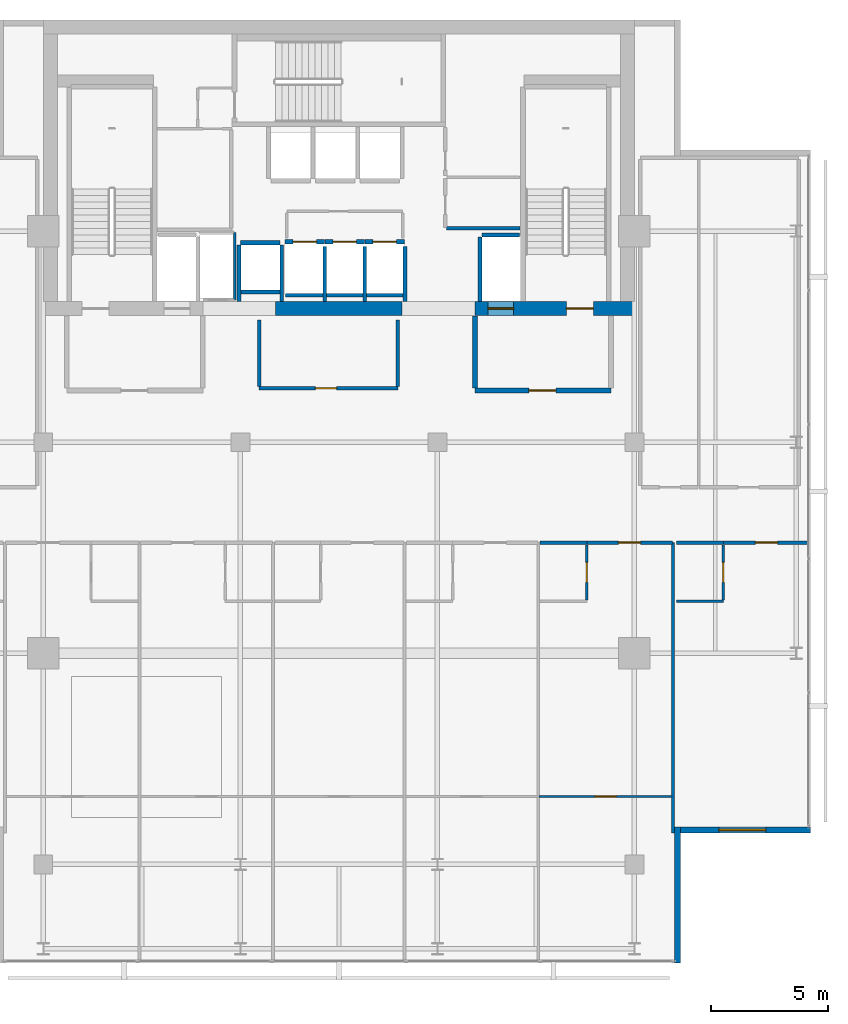
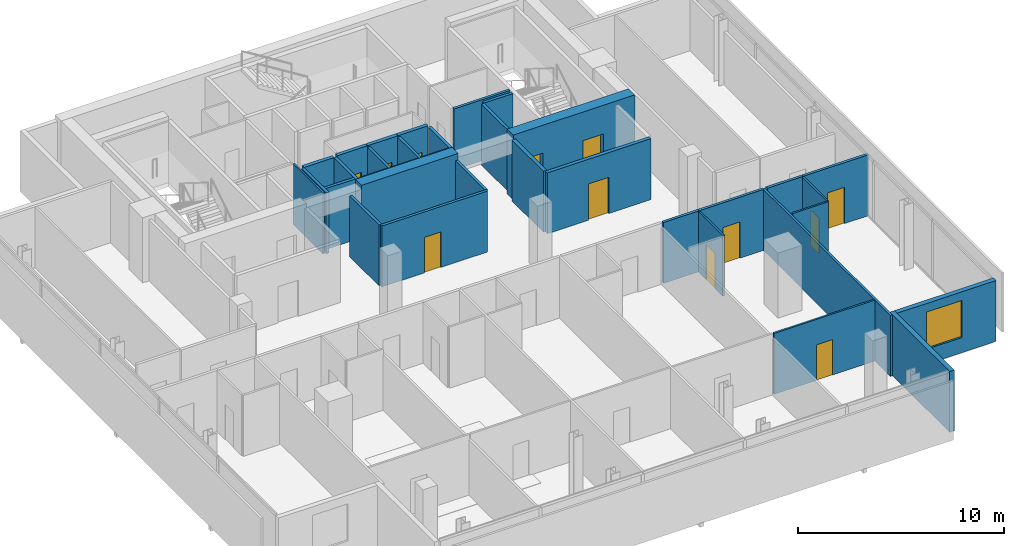
# One storey, part 18 of 24: 33 walls, 12 doors, 1 window, 13 openings.
"""IFC4 building model written with IfcOpenShell, lengths in metres."""

from ifc_helpers import new_model, si_unit, direction, frame, frame_2d, origin, place, context, subcontext, project, spatial, rectangle, extrude, material, layer, layer_set, type_object, element, fill, save


model = new_model("IFC4")

# Units and contexts
model_context = context("Model", 3, precision=1e-05, world=origin(), true_north=direction((0.0, 1.0)))
body_context = subcontext(model_context, "Body", "Model", "MODEL_VIEW")
ifc_project = project(units=[si_unit("LENGTHUNIT", "METRE"), si_unit("AREAUNIT", "SQUARE_METRE"), si_unit("VOLUMEUNIT", "CUBIC_METRE"), si_unit("PLANEANGLEUNIT", "RADIAN"), si_unit("MASSUNIT", "GRAM", prefix="KILO")], contexts=[model_context])

# Site, building, storey
site_placement = place(None, origin())
site = spatial("IfcSite", under=ifc_project, at=site_placement, CompositionType="ELEMENT")
building_placement = place(site_placement, origin())
building = spatial("IfcBuilding", under=site, at=building_placement, Name="Maruvema Waterfront Hotel and Observation Tower", CompositionType="ELEMENT")
storey_placement = place(building_placement, frame((0.0, 0.0, 329.699951171875)))
storey = spatial("IfcBuildingStorey", under=building, at=storey_placement, Name="L81", CompositionType="ELEMENT", Elevation=329.699951171875)

# Wall
ifc_material_1 = material(Name="Twin-stud acoustic gypsum drywall", Category="gypsum")
ifc_layer_1 = layer(ifc_material_1, 0.14990234375, Name="Acoustic Corridor and Suite Demising Wall 150 mm")
ifc_layer_set_1 = layer_set([ifc_layer_1], Name="Twin-stud acoustic gypsum drywall")
wall_type_1 = type_object("IfcWallType", Name="Acoustic Corridor and Suite Demising Wall 150 mm", PredefinedType="PARTITIONING", material=ifc_layer_set_1)
wall_1_placement = place(storey_placement, frame((42.3798828125, 45.1201171875, 0.0), z_axis=(0.0, 0.0, 1.0), x_axis=(1.0, 0.0, 0.0)))
element("IfcWall", 1, at=wall_1_placement, inside=storey, type_object=wall_type_1, Name="L81 Freed B2 South Wall 021", PredefinedType="PARTITIONING", context=body_context, shape_type="SweptSolid", body=[
    extrude(rectangle(XDim=3.14013671875, YDim=0.14990234375, at=frame_2d((1.570068359375, 0.0))), origin(), (0.0, 0.0, 1.0), 3.610107421875),
])

# Wall, opening, door
wall_2_placement = place(storey_placement, frame((34.39990234375, 38.300048828125, 0.0), z_axis=(0.0, 0.0, 1.0), x_axis=(1.0, 0.0, 0.0)))
wall_2 = element("IfcWall", 2, at=wall_2_placement, inside=storey, type_object=wall_type_1, Name="L81 Core Apron K0 South 022", PredefinedType="PARTITIONING", context=body_context, shape_type="SweptSolid", body=[
    extrude(rectangle(XDim=5.920166015625, YDim=0.14990234375, at=frame_2d((2.9599609375, 0.0))), origin(), (0.0, 0.0, 1.0), 3.610107421875),
])
opening_1_placement = place(wall_2_placement, frame((2.39990234375, 0.0, 0.0)))
opening_1 = element("IfcOpeningElement", 3, at=opening_1_placement, cuts=wall_2, Name="Opening DR-090", PredefinedType="OPENING", context=body_context, shape_type="SweptSolid", body=[
    extrude(rectangle(XDim=0.89990234375, YDim=2.10009765625, at=frame_2d((0.449951171875, 1.050048828125))), frame((0.0, 0.0849609375, 0.0), z_axis=(0.0, -1.0, 0.0), x_axis=(1.0, 0.0, 0.0)), (0.0, 0.0, 1.0), 0.169921875),
])
ifc_material_2 = material(Name="Solid-core lacquered timber leaf", Category="wood")
door_type_1 = type_object("IfcDoorType", Name="Accessible Toilet and Room Door 900x2100 mm", OperationType="NOTDEFINED", PredefinedType="DOOR", material=ifc_material_2)
door_1_placement = place(opening_1_placement, frame((0.89990234375, 0.0, 0.0), z_axis=(0.0, 0.0, 1.0), x_axis=(-1.0, 0.0, 0.0)))
door_1 = element("IfcDoor", 4, at=door_1_placement, inside=storey, type_object=door_type_1, Name="L81 Core Valet Room Door", OperationType="SINGLE_SWING_RIGHT", OverallHeight=2.10009765625, OverallWidth=0.89990234375, PredefinedType="DOOR", context=body_context, shape_type="SweptSolid", body=[
    extrude(rectangle(XDim=0.89990234375, YDim=2.10009765625, at=frame_2d((0.449951171875, 1.050048828125))), frame((0.0, 0.02490234375, 0.0), z_axis=(0.0, -1.0, 0.0), x_axis=(1.0, 0.0, 0.0)), (0.0, 0.0, 1.0), 0.050048828125),
])
fill(opening_1, door_1)

# Walls
for number, where, z_axis, x_axis, name in (
    (5, (34.39990234375, 38.3798828125, 0.0), (0.0, 0.0, 1.0), (0.0, 1.0, 0.0), "L81 Core Apron K0 West 023"),
    (6, (40.320068359375, 38.3798828125, 0.0), (0.0, 0.0, 1.0), (0.0, 1.0, 0.0), "L81 Core Apron K0 East 024"),
):
    element("IfcWall", number, at=place(storey_placement, frame(where, z_axis=z_axis, x_axis=x_axis)), inside=storey, type_object=wall_type_1, Name=name, PredefinedType="PARTITIONING", context=body_context, shape_type="SweptSolid", body=[
        extrude(rectangle(XDim=2.840087890625, YDim=0.14990234375, at=frame_2d((1.419921875, 0.0))), origin(), (0.0, 0.0, 1.0), 3.610107421875),
    ])
wall_3_placement = place(storey_placement, frame((46.3798828125, 31.719970703125, 0.0), z_axis=(0.0, 0.0, 1.0), x_axis=(1.0, 0.0, 0.0)))
element("IfcWall", 7, at=wall_3_placement, inside=storey, type_object=wall_type_1, Name="L81 Bath L81-SK5 Back Wall 063", PredefinedType="PARTITIONING", context=body_context, shape_type="SweptSolid", body=[
    extrude(rectangle(XDim=1.990234375, YDim=0.14990234375, at=frame_2d((0.9951171875, 0.0))), origin(), (0.0, 0.0, 1.0), 3.610107421875),
])

# Wall, opening, door
wall_4_placement = place(storey_placement, frame((48.3701171875, 31.719970703125, 0.0), z_axis=(0.0, 0.0, 1.0), x_axis=(1.0, 0.0, 0.0)))
wall_4 = element("IfcWall", 8, at=wall_4_placement, inside=storey, type_object=wall_type_1, Name="L81 Unit L81-SK5 Corridor Wall 066", PredefinedType="PARTITIONING", context=body_context, shape_type="SweptSolid", body=[
    extrude(rectangle(XDim=3.6474609375, YDim=0.14990234375, at=frame_2d((1.82373046875, 0.0))), origin(), (0.0, 0.0, 1.0), 3.610107421875),
])
opening_2_placement = place(wall_4_placement, frame((1.348876953125, 0.0, 0.0)))
opening_2 = element("IfcOpeningElement", 9, at=opening_2_placement, cuts=wall_4, Name="Opening DR-095", PredefinedType="OPENING", context=body_context, shape_type="SweptSolid", body=[
    extrude(rectangle(XDim=0.949951171875, YDim=2.14990234375, at=frame_2d((0.47509765625, 1.074951171875))), frame((0.0, 0.0849609375, 0.0), z_axis=(0.0, -1.0, 0.0), x_axis=(1.0, 0.0, 0.0)), (0.0, 0.0, 1.0), 0.169921875),
])
ifc_material_3 = material(Name="Acoustic solid-core hardwood timber leaf", Category="wood")
door_type_2 = type_object("IfcDoorType", Name="Guestroom Entrance Fire Door 950x2150 mm", OperationType="NOTDEFINED", PredefinedType="DOOR", material=ifc_material_3)
door_2_placement = place(opening_2_placement, frame((0.949951171875, 0.0, 0.0), z_axis=(0.0, 0.0, 1.0), x_axis=(-1.0, 0.0, 0.0)))
door_2 = element("IfcDoor", 10, at=door_2_placement, inside=storey, type_object=door_type_2, Name="L81 Unit L81-SK5 Entrance Door", OperationType="SINGLE_SWING_RIGHT", OverallHeight=2.14990234375, OverallWidth=0.949951171875, PredefinedType="DOOR", context=body_context, shape_type="SweptSolid", body=[
    extrude(rectangle(XDim=0.949951171875, YDim=2.14990234375, at=frame_2d((0.47509765625, 1.074951171875))), frame((0.0, 0.02490234375, 0.0), z_axis=(0.0, -1.0, 0.0), x_axis=(1.0, 0.0, 0.0)), (0.0, 0.0, 1.0), 0.050048828125),
])
fill(opening_2, door_2)

# Wall
wall_5_placement = place(storey_placement, frame((52.18994140625, 31.719970703125, 0.0), z_axis=(0.0, 0.0, 1.0), x_axis=(1.0, 0.0, 0.0)))
element("IfcWall", 11, at=wall_5_placement, inside=storey, type_object=wall_type_1, Name="L81 Bath L81-SKE Back Wall 072", PredefinedType="PARTITIONING", context=body_context, shape_type="SweptSolid", body=[
    extrude(rectangle(XDim=2.0, YDim=0.14990234375, at=frame_2d((1.0, 0.0))), origin(), (0.0, 0.0, 1.0), 3.610107421875),
])

# Wall, opening, door
wall_6_placement = place(storey_placement, frame((54.18994140625, 31.719970703125, 0.0), z_axis=(0.0, 0.0, 1.0), x_axis=(1.0, 0.0, 0.0)))
wall_6 = element("IfcWall", 12, at=wall_6_placement, inside=storey, type_object=wall_type_1, Name="L81 Unit L81-SKE Corridor Wall 075", PredefinedType="PARTITIONING", context=body_context, shape_type="SweptSolid", body=[
    extrude(rectangle(XDim=3.68017578125, YDim=0.14990234375, at=frame_2d((1.840087890625, 0.0))), origin(), (0.0, 0.0, 1.0), 3.610107421875),
])
opening_3_placement = place(wall_6_placement, frame((1.364990234375, 0.0, 0.0)))
opening_3 = element("IfcOpeningElement", 13, at=opening_3_placement, cuts=wall_6, Name="Opening DR-095", PredefinedType="OPENING", context=body_context, shape_type="SweptSolid", body=[
    extrude(rectangle(XDim=0.949951171875, YDim=2.14990234375, at=frame_2d((0.47509765625, 1.074951171875))), frame((0.0, 0.0849609375, 0.0), z_axis=(0.0, -1.0, 0.0), x_axis=(1.0, 0.0, 0.0)), (0.0, 0.0, 1.0), 0.169921875),
])
door_3_placement = place(opening_3_placement, frame((0.949951171875, 0.0, 0.0), z_axis=(0.0, 0.0, 1.0), x_axis=(-1.0, 0.0, 0.0)))
door_3 = element("IfcDoor", 14, at=door_3_placement, inside=storey, type_object=door_type_2, Name="L81 Unit L81-SKE Entrance Door", OperationType="SINGLE_SWING_LEFT", OverallHeight=2.14990234375, OverallWidth=0.949951171875, PredefinedType="DOOR", context=body_context, shape_type="SweptSolid", body=[
    extrude(rectangle(XDim=0.949951171875, YDim=2.14990234375, at=frame_2d((0.47509765625, 1.074951171875))), frame((0.0, 0.02490234375, 0.0), z_axis=(0.0, -1.0, 0.0), x_axis=(1.0, 0.0, 0.0)), (0.0, 0.0, 1.0), 0.050048828125),
])
fill(opening_3, door_3)

ifc_material_4 = material(Name="Precast concrete C45/55", Category="concrete")
ifc_layer_2 = layer(ifc_material_4, 0.199951171875, Name="Core Shaft and Stairwell Enclosure Wall 200 mm")
ifc_layer_set_2 = layer_set([ifc_layer_2], Name="Precast concrete C45/55")
wall_type_2 = type_object("IfcWallType", Name="Core Shaft and Stairwell Enclosure Wall 200 mm", PredefinedType="SOLIDWALL", material=ifc_layer_set_2)
wall_7_placement = place(storey_placement, frame((35.510009765625, 44.550048828125, 0.0), z_axis=(0.0, 0.0, 1.0), x_axis=(1.0, 0.0, 0.0)))
wall_7 = element("IfcWall", 15, at=wall_7_placement, inside=storey, type_object=wall_type_2, Name="L81 Lift LF-09 Hoistway Front Wall", PredefinedType="SOLIDWALL", context=body_context, shape_type="SweptSolid", body=[
    extrude(rectangle(XDim=1.679931640625, YDim=0.199951171875, at=frame_2d((0.83984375, 0.0))), origin(), (0.0, 0.0, 1.0), 3.610107421875),
])
opening_4_placement = place(wall_7_placement, frame((0.340087890625, 0.0, 0.0)))
opening_4 = element("IfcOpeningElement", 16, at=opening_4_placement, cuts=wall_7, Name="Opening LD-01", PredefinedType="OPENING", context=body_context, shape_type="SweptSolid", body=[
    extrude(rectangle(XDim=1.0, YDim=2.14990234375, at=frame_2d((0.5, 1.074951171875))), frame((0.0, 0.10986328125, 0.0), z_axis=(0.0, -1.0, 0.0), x_axis=(1.0, 0.0, 0.0)), (0.0, 0.0, 1.0), 0.219970703125),
])
ifc_material_5 = material(Name="Brushed stainless steel Grade 316", Category="steel")
door_type_3 = type_object("IfcDoorType", Name="Passenger Lift Sliding Landing Door 1000x2150 mm", OperationType="SLIDING_TO_LEFT", PredefinedType="DOOR", material=ifc_material_5)
door_4_placement = place(opening_4_placement, origin())
door_4 = element("IfcDoor", 17, at=door_4_placement, inside=storey, type_object=door_type_3, Name="L81 Lift LF-09 Sliding Landing Door", OperationType="SLIDING_TO_LEFT", OverallHeight=2.14990234375, OverallWidth=1.0, PredefinedType="DOOR", context=body_context, shape_type="SweptSolid", body=[
    extrude(rectangle(XDim=1.0, YDim=2.14990234375, at=frame_2d((0.5, 1.074951171875))), frame((0.0, 0.02490234375, 0.0), z_axis=(0.0, -1.0, 0.0), x_axis=(1.0, 0.0, 0.0)), (0.0, 0.0, 1.0), 0.050048828125),
])
fill(opening_4, door_4)

wall_8_placement = place(storey_placement, frame((37.2099609375, 44.550048828125, 0.0), z_axis=(0.0, 0.0, 1.0), x_axis=(1.0, 0.0, 0.0)))
wall_8 = element("IfcWall", 18, at=wall_8_placement, inside=storey, type_object=wall_type_2, Name="L81 Lift LF-10 Hoistway Front Wall", PredefinedType="SOLIDWALL", context=body_context, shape_type="SweptSolid", body=[
    extrude(rectangle(XDim=1.679931640625, YDim=0.199951171875, at=frame_2d((0.83984375, 0.0))), origin(), (0.0, 0.0, 1.0), 3.610107421875),
])
opening_5_placement = place(wall_8_placement, frame((0.340087890625, 0.0, 0.0)))
opening_5 = element("IfcOpeningElement", 19, at=opening_5_placement, cuts=wall_8, Name="Opening LD-01", PredefinedType="OPENING", context=body_context, shape_type="SweptSolid", body=[
    extrude(rectangle(XDim=1.0, YDim=2.14990234375, at=frame_2d((0.5, 1.074951171875))), frame((0.0, 0.10986328125, 0.0), z_axis=(0.0, -1.0, 0.0), x_axis=(1.0, 0.0, 0.0)), (0.0, 0.0, 1.0), 0.219970703125),
])
door_5_placement = place(opening_5_placement, origin())
door_5 = element("IfcDoor", 20, at=door_5_placement, inside=storey, type_object=door_type_3, Name="L81 Lift LF-10 Sliding Landing Door", OperationType="SLIDING_TO_LEFT", OverallHeight=2.14990234375, OverallWidth=1.0, PredefinedType="DOOR", context=body_context, shape_type="SweptSolid", body=[
    extrude(rectangle(XDim=1.0, YDim=2.14990234375, at=frame_2d((0.5, 1.074951171875))), frame((0.0, 0.02490234375, 0.0), z_axis=(0.0, -1.0, 0.0), x_axis=(1.0, 0.0, 0.0)), (0.0, 0.0, 1.0), 0.050048828125),
])
fill(opening_5, door_5)

wall_9_placement = place(storey_placement, frame((38.909912109375, 44.550048828125, 0.0), z_axis=(0.0, 0.0, 1.0), x_axis=(1.0, 0.0, 0.0)))
wall_9 = element("IfcWall", 21, at=wall_9_placement, inside=storey, type_object=wall_type_2, Name="L81 Lift LF-11 Hoistway Front Wall", PredefinedType="SOLIDWALL", context=body_context, shape_type="SweptSolid", body=[
    extrude(rectangle(XDim=1.68017578125, YDim=0.199951171875, at=frame_2d((0.840087890625, 0.0))), origin(), (0.0, 0.0, 1.0), 3.610107421875),
])
opening_6_placement = place(wall_9_placement, frame((0.340087890625, 0.0, 0.0)))
opening_6 = element("IfcOpeningElement", 22, at=opening_6_placement, cuts=wall_9, Name="Opening LD-01", PredefinedType="OPENING", context=body_context, shape_type="SweptSolid", body=[
    extrude(rectangle(XDim=1.0, YDim=2.14990234375, at=frame_2d((0.5, 1.074951171875))), frame((0.0, 0.10986328125, 0.0), z_axis=(0.0, -1.0, 0.0), x_axis=(1.0, 0.0, 0.0)), (0.0, 0.0, 1.0), 0.219970703125),
])
door_6_placement = place(opening_6_placement, origin())
door_6 = element("IfcDoor", 23, at=door_6_placement, inside=storey, type_object=door_type_3, Name="L81 Lift LF-11 Sliding Landing Door", OperationType="SLIDING_TO_LEFT", OverallHeight=2.14990234375, OverallWidth=1.0, PredefinedType="DOOR", context=body_context, shape_type="SweptSolid", body=[
    extrude(rectangle(XDim=1.0, YDim=2.14990234375, at=frame_2d((0.5, 1.074951171875))), frame((0.0, 0.02490234375, 0.0), z_axis=(0.0, -1.0, 0.0), x_axis=(1.0, 0.0, 0.0)), (0.0, 0.0, 1.0), 0.050048828125),
])
fill(opening_6, door_6)

# Walls
wall_10_placement = place(storey_placement, frame((33.610107421875, 44.5, 0.0), z_axis=(0.0, 0.0, 1.0), x_axis=(1.0, 0.0, 0.0)))
element("IfcWall", 24, at=wall_10_placement, inside=storey, type_object=wall_type_2, Name="L81 Lift LF-15 Hoistway Front Wall", PredefinedType="SOLIDWALL", context=body_context, shape_type="SweptSolid", body=[
    extrude(rectangle(XDim=1.679931640625, YDim=0.199951171875, at=frame_2d((0.83984375, 0.0))), origin(), (0.0, 0.0, 1.0), 3.610107421875),
])
ifc_material_6 = material(Name="Concrete C60/75", Category="concrete")
ifc_layer_3 = layer(ifc_material_6, 0.60009765625, Name="Core Shear Wall 600 mm")
ifc_layer_set_3 = layer_set([ifc_layer_3], Name="Concrete C60/75")
wall_type_3 = type_object("IfcWallType", Name="Core Shear Wall 600 mm", PredefinedType="SHEAR", material=ifc_layer_set_3)
wall_11_placement = place(storey_placement, frame((35.10009765625, 41.699951171875, 0.0), z_axis=(0.0, 0.0, 1.0), x_axis=(1.0, 0.0, 0.0)))
element("IfcWall", 25, at=wall_11_placement, inside=storey, type_object=wall_type_3, Name="L81 South-Central Core Shear Wall", PredefinedType="SHEAR", context=body_context, shape_type="SweptSolid", body=[
    extrude(rectangle(XDim=5.39990234375, YDim=0.60009765625, at=frame_2d((2.699951171875, 0.0))), origin(), (0.0, 0.0, 1.0), 3.85009765625),
])

# Wall, openings, doors
wall_12_placement = place(storey_placement, frame((43.60009765625, 41.699951171875, 0.0), z_axis=(0.0, 0.0, 1.0), x_axis=(1.0, 0.0, 0.0)))
wall_12 = element("IfcWall", 26, at=wall_12_placement, inside=storey, type_object=wall_type_3, Name="L81 South-East Core Shear Wall", PredefinedType="SHEAR", context=body_context, shape_type="SweptSolid", body=[
    extrude(rectangle(XDim=6.7998046875, YDim=0.60009765625, at=frame_2d((3.39990234375, 0.0))), origin(), (0.0, 0.0, 1.0), 3.85009765625),
])
opening_7_placement = place(wall_12_placement, frame((3.89990234375, 0.0, 0.0)))
opening_7 = element("IfcOpeningElement", 27, at=opening_7_placement, cuts=wall_12, Name="Opening SD-01", PredefinedType="OPENING", context=body_context, shape_type="SweptSolid", body=[
    extrude(rectangle(XDim=1.14990234375, YDim=2.14990234375, at=frame_2d((0.574951171875, 1.074951171875))), frame((0.0, 0.31005859375, 0.0), z_axis=(0.0, -1.0, 0.0), x_axis=(1.0, 0.0, 0.0)), (0.0, 0.0, 1.0), 0.6201171875),
])
opening_8_placement = place(wall_12_placement, frame((0.550048828125, 0.0, 0.0)))
opening_8 = element("IfcOpeningElement", 28, at=opening_8_placement, cuts=wall_12, Name="Opening LD-03", PredefinedType="OPENING", context=body_context, shape_type="SweptSolid", body=[
    extrude(rectangle(XDim=1.10009765625, YDim=2.199951171875, at=frame_2d((0.550048828125, 1.10009765625))), frame((0.0, 0.31005859375, 0.0), z_axis=(0.0, -1.0, 0.0), x_axis=(1.0, 0.0, 0.0)), (0.0, 0.0, 1.0), 0.6201171875),
])
ifc_material_7 = material(Name="Fire-rated galvanised steel leaf", Category="steel")
door_type_4 = type_object("IfcDoorType", Name="Exit Stair Fire Door 1150x2150 mm", OperationType="NOTDEFINED", PredefinedType="DOOR", material=ifc_material_7)
door_7_placement = place(opening_7_placement, origin())
door_7 = element("IfcDoor", 29, at=door_7_placement, inside=storey, type_object=door_type_4, Name="L81 Exit Stair ST-03 Fire Door", OperationType="SINGLE_SWING_RIGHT", OverallHeight=2.14990234375, OverallWidth=1.14990234375, PredefinedType="DOOR", context=body_context, shape_type="SweptSolid", body=[
    extrude(rectangle(XDim=1.14990234375, YDim=2.14990234375, at=frame_2d((0.574951171875, 1.074951171875))), frame((0.0, 0.02490234375, 0.0), z_axis=(0.0, -1.0, 0.0), x_axis=(1.0, 0.0, 0.0)), (0.0, 0.0, 1.0), 0.050048828125),
])
fill(opening_7, door_7)
ifc_material_8 = material(Name="Brushed stainless steel Grade 316", Category="steel")
door_type_5 = type_object("IfcDoorType", Name="Firefighting Lift Sliding Landing Door 1100x2200 mm", OperationType="SLIDING_TO_LEFT", PredefinedType="DOOR", material=ifc_material_8)
door_8_placement = place(opening_8_placement, frame((1.10009765625, 0.0, 0.0), z_axis=(0.0, 0.0, 1.0), x_axis=(-1.0, 0.0, 0.0)))
door_8 = element("IfcDoor", 30, at=door_8_placement, inside=storey, type_object=door_type_5, Name="L81 Firefighting Lift FL-02 Landing Door", OperationType="SLIDING_TO_LEFT", OverallHeight=2.199951171875, OverallWidth=1.10009765625, PredefinedType="DOOR", context=body_context, shape_type="SweptSolid", body=[
    extrude(rectangle(XDim=1.10009765625, YDim=2.199951171875, at=frame_2d((0.550048828125, 1.10009765625))), frame((0.0, 0.02490234375, 0.0), z_axis=(0.0, -1.0, 0.0), x_axis=(1.0, 0.0, 0.0)), (0.0, 0.0, 1.0), 0.050048828125),
])
fill(opening_8, door_8)

# Wall
ifc_material_9 = material(Name="Moisture-resistant cement-board drywall", Category="gypsum")
ifc_layer_4 = layer(ifc_material_9, 0.10009765625, Name="En-Suite Moisture-Resistant Partition 100 mm")
ifc_layer_set_4 = layer_set([ifc_layer_4], Name="Moisture-resistant cement-board drywall")
wall_type_4 = type_object("IfcWallType", Name="En-Suite Moisture-Resistant Partition 100 mm", PredefinedType="PARTITIONING", material=ifc_layer_set_4)
wall_13_placement = place(storey_placement, frame((33.360107421875, 42.06005859375, 0.0), z_axis=(0.0, 0.0, 1.0), x_axis=(0.0, 1.0, 0.0)))
element("IfcWall", 31, at=wall_13_placement, inside=storey, type_object=wall_type_4, Name="L81 Telecom Riser East Wall 009", PredefinedType="PARTITIONING", context=body_context, shape_type="SweptSolid", body=[
    extrude(rectangle(XDim=2.8798828125, YDim=0.10009765625, at=frame_2d((1.43994140625, 0.0))), origin(), (0.0, 0.0, 1.0), 3.610107421875),
])

# Wall, opening, door
wall_14_placement = place(storey_placement, frame((48.3701171875, 29.280029296875, 0.0), z_axis=(0.0, 0.0, 1.0), x_axis=(0.0, 1.0, 0.0)))
wall_14 = element("IfcWall", 32, at=wall_14_placement, inside=storey, type_object=wall_type_4, Name="L81 En-Suite L81-SK5 East 065", PredefinedType="PARTITIONING", context=body_context, shape_type="SweptSolid", body=[
    extrude(rectangle(XDim=2.340087890625, YDim=0.10009765625, at=frame_2d((1.169921875, 0.0))), origin(), (0.0, 0.0, 1.0), 3.610107421875),
])
opening_9_placement = place(wall_14_placement, frame((0.7451171875, 0.0, 0.0)))
opening_9 = element("IfcOpeningElement", 33, at=opening_9_placement, cuts=wall_14, Name="Opening DR-085", PredefinedType="OPENING", context=body_context, shape_type="SweptSolid", body=[
    extrude(rectangle(XDim=0.85009765625, YDim=2.10009765625, at=frame_2d((0.425048828125, 1.050048828125))), frame((0.0, 0.06005859375, 0.0), z_axis=(0.0, -1.0, 0.0), x_axis=(1.0, 0.0, 0.0)), (0.0, 0.0, 1.0), 0.1201171875),
])
ifc_material_10 = material(Name="Moisture-resistant solid timber leaf", Category="wood")
door_type_6 = type_object("IfcDoorType", Name="En-Suite Bathroom Door 850x2100 mm", OperationType="NOTDEFINED", PredefinedType="DOOR", material=ifc_material_10)
door_9_placement = place(opening_9_placement, frame((0.85009765625, 0.0, 0.0), z_axis=(0.0, 0.0, 1.0), x_axis=(-1.0, 0.0, 0.0)))
door_9 = element("IfcDoor", 34, at=door_9_placement, inside=storey, type_object=door_type_6, Name="L81 En-Suite L81-SK5 Door", OperationType="SINGLE_SWING_LEFT", OverallHeight=2.10009765625, OverallWidth=0.85009765625, PredefinedType="DOOR", context=body_context, shape_type="SweptSolid", body=[
    extrude(rectangle(XDim=0.85009765625, YDim=2.10009765625, at=frame_2d((0.425048828125, 1.050048828125))), frame((0.0, 0.02490234375, 0.0), z_axis=(0.0, -1.0, 0.0), x_axis=(1.0, 0.0, 0.0)), (0.0, 0.0, 1.0), 0.050048828125),
])
fill(opening_9, door_9)

wall_15_placement = place(storey_placement, frame((46.340087890625, 20.893310546875, 0.0), z_axis=(0.0, 0.0, 1.0), x_axis=(1.0, 0.0, 0.0)))
wall_15 = element("IfcWall", 35, at=wall_15_placement, inside=storey, type_object=wall_type_4, Name="L81 Suite L81-SK5 Split 067", PredefinedType="PARTITIONING", context=body_context, shape_type="SweptSolid", body=[
    extrude(rectangle(XDim=5.657470703125, YDim=0.10009765625, at=frame_2d((2.82861328125, 0.0))), origin(), (0.0, 0.0, 1.0), 3.610107421875),
])
opening_10_placement = place(wall_15_placement, frame((2.378662109375, 0.0, 0.0)))
opening_10 = element("IfcOpeningElement", 36, at=opening_10_placement, cuts=wall_15, Name="Opening DR-090", PredefinedType="OPENING", context=body_context, shape_type="SweptSolid", body=[
    extrude(rectangle(XDim=0.89990234375, YDim=2.10009765625, at=frame_2d((0.449951171875, 1.050048828125))), frame((0.0, 0.06005859375, 0.0), z_axis=(0.0, -1.0, 0.0), x_axis=(1.0, 0.0, 0.0)), (0.0, 0.0, 1.0), 0.1201171875),
])
door_10_placement = place(opening_10_placement, frame((0.89990234375, 0.0, 0.0), z_axis=(0.0, 0.0, 1.0), x_axis=(-1.0, 0.0, 0.0)))
door_10 = element("IfcDoor", 37, at=door_10_placement, inside=storey, type_object=door_type_1, Name="L81 Suite L81-SK5 Bedroom Door", OperationType="SINGLE_SWING_LEFT", OverallHeight=2.10009765625, OverallWidth=0.89990234375, PredefinedType="DOOR", context=body_context, shape_type="SweptSolid", body=[
    extrude(rectangle(XDim=0.89990234375, YDim=2.10009765625, at=frame_2d((0.449951171875, 1.050048828125))), frame((0.0, 0.02490234375, 0.0), z_axis=(0.0, -1.0, 0.0), x_axis=(1.0, 0.0, 0.0)), (0.0, 0.0, 1.0), 0.050048828125),
])
fill(opening_10, door_10)

# Wall
wall_16_placement = place(storey_placement, frame((52.18994140625, 29.219970703125, 0.0), z_axis=(0.0, 0.0, 1.0), x_axis=(1.0, 0.0, 0.0)))
element("IfcWall", 38, at=wall_16_placement, inside=storey, type_object=wall_type_4, Name="L81 En-Suite L81-SKE South 073", PredefinedType="PARTITIONING", context=body_context, shape_type="SweptSolid", body=[
    extrude(rectangle(XDim=2.0, YDim=0.10009765625, at=frame_2d((1.0, 0.0))), origin(), (0.0, 0.0, 1.0), 3.610107421875),
])

# Wall, opening, door
wall_17_placement = place(storey_placement, frame((54.18994140625, 29.280029296875, 0.0), z_axis=(0.0, 0.0, 1.0), x_axis=(0.0, 1.0, 0.0)))
wall_17 = element("IfcWall", 39, at=wall_17_placement, inside=storey, type_object=wall_type_4, Name="L81 En-Suite L81-SKE East 074", PredefinedType="PARTITIONING", context=body_context, shape_type="SweptSolid", body=[
    extrude(rectangle(XDim=2.340087890625, YDim=0.10009765625, at=frame_2d((1.169921875, 0.0))), origin(), (0.0, 0.0, 1.0), 3.610107421875),
])
opening_11_placement = place(wall_17_placement, frame((0.7451171875, 0.0, 0.0)))
opening_11 = element("IfcOpeningElement", 40, at=opening_11_placement, cuts=wall_17, Name="Opening DR-085", PredefinedType="OPENING", context=body_context, shape_type="SweptSolid", body=[
    extrude(rectangle(XDim=0.85009765625, YDim=2.10009765625, at=frame_2d((0.425048828125, 1.050048828125))), frame((0.0, 0.06005859375, 0.0), z_axis=(0.0, -1.0, 0.0), x_axis=(1.0, 0.0, 0.0)), (0.0, 0.0, 1.0), 0.1201171875),
])
door_11_placement = place(opening_11_placement, frame((0.85009765625, 0.0, 0.0), z_axis=(0.0, 0.0, 1.0), x_axis=(-1.0, 0.0, 0.0)))
door_11 = element("IfcDoor", 41, at=door_11_placement, inside=storey, type_object=door_type_6, Name="L81 En-Suite L81-SKE Door", OperationType="SINGLE_SWING_RIGHT", OverallHeight=2.10009765625, OverallWidth=0.85009765625, PredefinedType="DOOR", context=body_context, shape_type="SweptSolid", body=[
    extrude(rectangle(XDim=0.85009765625, YDim=2.10009765625, at=frame_2d((0.425048828125, 1.050048828125))), frame((0.0, 0.02490234375, 0.0), z_axis=(0.0, -1.0, 0.0), x_axis=(1.0, 0.0, 0.0)), (0.0, 0.0, 1.0), 0.050048828125),
])
fill(opening_11, door_11)

# Wall
ifc_material_11 = material(Name="Precast concrete C45/55 with honed Pernambuco granite facing", Category="masonry")
ifc_layer_5 = layer(ifc_material_11, 0.260009765625, Name="Exterior Granite Clad Spandrel and Pier Wall 260 mm")
ifc_layer_set_5 = layer_set([ifc_layer_5], Name="Precast concrete C45/55 with honed Pernambuco granite facing")
wall_type_5 = type_object("IfcWallType", Name="Exterior Granite Clad Spandrel and Pier Wall 260 mm", PredefinedType="SOLIDWALL", material=ifc_layer_set_5)
wall_18_placement = place(storey_placement, frame((52.22998046875, 19.60009765625, 0.0), z_axis=(0.0, 0.0, 1.0), x_axis=(0.0, -1.0, 0.0)))
element("IfcWall", 42, at=wall_18_placement, inside=storey, type_object=wall_type_5, Name="L81 Corner Notch Granite Pier Wall SE1", PredefinedType="SOLIDWALL", context=body_context, shape_type="SweptSolid", body=[
    extrude(rectangle(XDim=5.800048828125, YDim=0.260009765625, at=frame_2d((2.89990234375, 0.0))), origin(), (0.0, 0.0, 1.0), 3.610107421875),
])

# Wall, opening, window
wall_19_placement = place(storey_placement, frame((57.89990234375, 19.469970703125, 0.0), z_axis=(0.0, 0.0, 1.0), x_axis=(-1.0, 0.0, 0.0)))
wall_19 = element("IfcWall", 43, at=wall_19_placement, inside=storey, type_object=wall_type_5, Name="L81 Corner Notch Granite Pier Wall SE2", PredefinedType="SOLIDWALL", context=body_context, shape_type="SweptSolid", body=[
    extrude(rectangle(XDim=5.7998046875, YDim=0.260009765625, at=frame_2d((2.89990234375, 0.0))), origin(), (0.0, 0.0, 1.0), 3.610107421875),
])
opening_12_placement = place(wall_19_placement, frame((1.89990234375, 0.0, 0.89990234375)))
opening_12 = element("IfcOpeningElement", 44, at=opening_12_placement, cuts=wall_19, Name="Opening WN-03", PredefinedType="OPENING", context=body_context, shape_type="SweptSolid", body=[
    extrude(rectangle(XDim=2.0, YDim=2.199951171875, at=frame_2d((1.0, 1.10009765625))), frame((0.0, 0.14013671875, 0.0), z_axis=(0.0, -1.0, 0.0), x_axis=(1.0, 0.0, 0.0)), (0.0, 0.0, 1.0), 0.280029296875),
])
ifc_material_12 = material(Name="Anodised bronze aluminium frame with laminated low-E glass", Category="aluminium")
window_type = type_object("IfcWindowType", Name="Sky Suite Panoramic Notch Window 2000x2200 mm", PartitioningType="SINGLE_PANEL", PredefinedType="WINDOW", material=ifc_material_12)
window_placement = place(opening_12_placement, origin())
window = element("IfcWindow", 45, at=window_placement, inside=storey, type_object=window_type, Name="L81 Corner Notch Punched Window SE2", OverallHeight=2.199951171875, OverallWidth=2.0, PartitioningType="SINGLE_PANEL", PredefinedType="WINDOW", context=body_context, shape_type="SweptSolid", body=[
    extrude(rectangle(XDim=2.0, YDim=2.199951171875, at=frame_2d((1.0, 1.10009765625))), frame((0.0, 0.030029296875, 0.0), z_axis=(0.0, -1.0, 0.0), x_axis=(1.0, 0.0, 0.0)), (0.0, 0.0, 1.0), 0.06005859375),
])
fill(opening_12, window)

# Wall, opening, door
ifc_material_13 = material(Name="Autoclaved cellular concrete blockwork", Category="masonry")
ifc_layer_6 = layer(ifc_material_13, 0.199951171875, Name="Fire Compartment Masonry Wall 200 mm")
ifc_layer_set_6 = layer_set([ifc_layer_6], Name="Autoclaved cellular concrete blockwork")
wall_type_6 = type_object("IfcWallType", Name="Fire Compartment Masonry Wall 200 mm", PredefinedType="PARTITIONING", material=ifc_layer_set_6)
wall_20_placement = place(storey_placement, frame((43.60009765625, 38.199951171875, 0.0), z_axis=(0.0, 0.0, 1.0), x_axis=(1.0, 0.0, 0.0)))
wall_20 = element("IfcWall", 46, at=wall_20_placement, inside=storey, type_object=wall_type_6, Name="L81 FFL East South Wall 004", PredefinedType="PARTITIONING", context=body_context, shape_type="SweptSolid", body=[
    extrude(rectangle(XDim=5.7998046875, YDim=0.199951171875, at=frame_2d((2.89990234375, 0.0))), origin(), (0.0, 0.0, 1.0), 3.610107421875),
])
opening_13_placement = place(wall_20_placement, frame((2.300048828125, 0.0, 0.0)))
opening_13 = element("IfcOpeningElement", 47, at=opening_13_placement, cuts=wall_20, Name="Opening FD-115", PredefinedType="OPENING", context=body_context, shape_type="SweptSolid", body=[
    extrude(rectangle(XDim=1.14990234375, YDim=2.14990234375, at=frame_2d((0.574951171875, 1.074951171875))), frame((0.0, 0.10986328125, 0.0), z_axis=(0.0, -1.0, 0.0), x_axis=(1.0, 0.0, 0.0)), (0.0, 0.0, 1.0), 0.219970703125),
])
ifc_material_14 = material(Name="Fire-rated galvanised steel and vision glass", Category="steel")
door_type_7 = type_object("IfcDoorType", Name="Firefighting Lobby Fire Door 1150x2150 mm", OperationType="NOTDEFINED", PredefinedType="DOOR", material=ifc_material_14)
door_12_placement = place(opening_13_placement, frame((1.14990234375, 0.0, 0.0), z_axis=(0.0, 0.0, 1.0), x_axis=(-1.0, 0.0, 0.0)))
door_12 = element("IfcDoor", 48, at=door_12_placement, inside=storey, type_object=door_type_7, Name="L81 Firefighting Lobby East Door", OperationType="SINGLE_SWING_LEFT", OverallHeight=2.14990234375, OverallWidth=1.14990234375, PredefinedType="DOOR", context=body_context, shape_type="SweptSolid", body=[
    extrude(rectangle(XDim=1.14990234375, YDim=2.14990234375, at=frame_2d((0.574951171875, 1.074951171875))), frame((0.0, 0.02490234375, 0.0), z_axis=(0.0, -1.0, 0.0), x_axis=(1.0, 0.0, 0.0)), (0.0, 0.0, 1.0), 0.050048828125),
])
fill(opening_13, door_12)

# Walls
wall_21_placement = place(storey_placement, frame((43.60009765625, 38.31005859375, 0.0), z_axis=(0.0, 0.0, 1.0), x_axis=(0.0, 1.0, 0.0)))
element("IfcWall", 49, at=wall_21_placement, inside=storey, type_object=wall_type_6, Name="L81 FFL East West Wall 005", PredefinedType="PARTITIONING", context=body_context, shape_type="SweptSolid", body=[
    extrude(rectangle(XDim=3.06982421875, YDim=0.199951171875, at=frame_2d((1.534912109375, 0.0))), origin(), (0.0, 0.0, 1.0), 3.610107421875),
])
ifc_material_15 = material(Name="Acoustic gypsum plasterboard drywall", Category="gypsum")
ifc_layer_7 = layer(ifc_material_15, 0.125, Name="Guestroom Acoustic Demising Wall 125 mm")
ifc_layer_set_7 = layer_set([ifc_layer_7], Name="Acoustic gypsum plasterboard drywall")
wall_type_7 = type_object("IfcWallType", Name="Guestroom Acoustic Demising Wall 125 mm", PredefinedType="PARTITIONING", material=ifc_layer_set_7)
wall_22_placement = place(storey_placement, frame((52.03759765625, 19.340087890625, 0.0), z_axis=(0.0, 0.0, 1.0), x_axis=(0.0, 1.0, 0.0)))
element("IfcWall", 50, at=wall_22_placement, inside=storey, type_object=wall_type_7, Name="L81 Z4 S East End 038", PredefinedType="PARTITIONING", context=body_context, shape_type="SweptSolid", body=[
    extrude(rectangle(XDim=12.3798828125, YDim=0.125, at=frame_2d((6.18994140625, 0.0))), origin(), (0.0, 0.0, 1.0), 3.610107421875),
])
ifc_material_16 = material(Name="Precast concrete C45/55", Category="concrete")
ifc_layer_8 = layer(ifc_material_16, 0.159912109375, Name="Lift Hoistway Divider Wall 160 mm")
ifc_layer_set_8 = layer_set([ifc_layer_8], Name="Precast concrete C45/55")
wall_type_8 = type_object("IfcWallType", Name="Lift Hoistway Divider Wall 160 mm", PredefinedType="SOLIDWALL", material=ifc_layer_set_8)
wall_23_placement = place(storey_placement, frame((43.89990234375, 44.830078125, 0.0), z_axis=(0.0, 0.0, 1.0), x_axis=(1.0, 0.0, 0.0)))
element("IfcWall", 51, at=wall_23_placement, inside=storey, type_object=wall_type_8, Name="L81 Lift FL-02 Rear Hoistway Wall", PredefinedType="SOLIDWALL", context=body_context, shape_type="SweptSolid", body=[
    extrude(rectangle(XDim=1.60009765625, YDim=0.159912109375, at=frame_2d((0.800048828125, 0.0))), origin(), (0.0, 0.0, 1.0), 3.610107421875),
])
wall_24_placement = place(storey_placement, frame((43.820068359375, 42.0, 0.0), z_axis=(0.0, 0.0, 1.0), x_axis=(0.0, 1.0, 0.0)))
element("IfcWall", 52, at=wall_24_placement, inside=storey, type_object=wall_type_8, Name="L81 Lift FL-02 Inner Hoistway Wall", PredefinedType="SOLIDWALL", context=body_context, shape_type="SweptSolid", body=[
    extrude(rectangle(XDim=2.739990234375, YDim=0.159912109375, at=frame_2d((1.3701171875, 0.0))), origin(), (0.0, 0.0, 1.0), 3.610107421875),
])
for number, where, z_axis, x_axis, name in (
    (53, (37.199951171875, 42.0, 0.0), (0.0, 0.0, 1.0), (0.0, 1.0, 0.0), "L81 Hoistway Divider Wall"),
    (54, (38.89990234375, 42.0, 0.0), (0.0, 0.0, 1.0), (0.0, 1.0, 0.0), "L81 Hoistway Divider Wall"),
    (55, (40.6201171875, 42.0, 0.0), (0.0, 0.0, 1.0), (0.0, 1.0, 0.0), "L81 Hoistway Divider Wall"),
):
    element("IfcWall", number, at=place(storey_placement, frame(where, z_axis=z_axis, x_axis=x_axis)), inside=storey, type_object=wall_type_8, Name=name, PredefinedType="SOLIDWALL", context=body_context, shape_type="SweptSolid", body=[
        extrude(rectangle(XDim=2.35009765625, YDim=0.159912109375, at=frame_2d((1.175048828125, 0.0))), origin(), (0.0, 0.0, 1.0), 3.610107421875),
    ])
wall_25_placement = place(storey_placement, frame((35.52001953125, 42.260009765625, 0.0), z_axis=(0.0, 0.0, 1.0), x_axis=(1.0, 0.0, 0.0)))
element("IfcWall", 56, at=wall_25_placement, inside=storey, type_object=wall_type_8, Name="L81 Hoistway Divider Wall", PredefinedType="SOLIDWALL", context=body_context, shape_type="SweptSolid", body=[
    extrude(rectangle(XDim=5.02001953125, YDim=0.159912109375, at=frame_2d((2.510009765625, 0.0))), origin(), (0.0, 0.0, 1.0), 3.610107421875),
])
for number, where, z_axis, x_axis, name in (
    (57, (33.5400390625, 42.0, 0.0), (0.0, 0.0, 1.0), (0.0, 1.0, 0.0), "L81 Hoistway Divider Wall"),
    (58, (35.360107421875, 42.0, 0.0), (0.0, 0.0, 1.0), (0.0, 1.0, 0.0), "L81 Hoistway Divider Wall"),
):
    element("IfcWall", number, at=place(storey_placement, frame(where, z_axis=z_axis, x_axis=x_axis)), inside=storey, type_object=wall_type_8, Name=name, PredefinedType="SOLIDWALL", context=body_context, shape_type="SweptSolid", body=[
        extrude(rectangle(XDim=2.39990234375, YDim=0.159912109375, at=frame_2d((1.199951171875, 0.0))), origin(), (0.0, 0.0, 1.0), 3.610107421875),
    ])
wall_26_placement = place(storey_placement, frame((33.6201171875, 42.39990234375, 0.0), z_axis=(0.0, 0.0, 1.0), x_axis=(1.0, 0.0, 0.0)))
element("IfcWall", 59, at=wall_26_placement, inside=storey, type_object=wall_type_8, Name="L81 Hoistway Divider Wall", PredefinedType="SOLIDWALL", context=body_context, shape_type="SweptSolid", body=[
    extrude(rectangle(XDim=1.659912109375, YDim=0.159912109375, at=frame_2d((0.830078125, 0.0))), origin(), (0.0, 0.0, 1.0), 3.610107421875),
])

save(model, "model.ifc")
